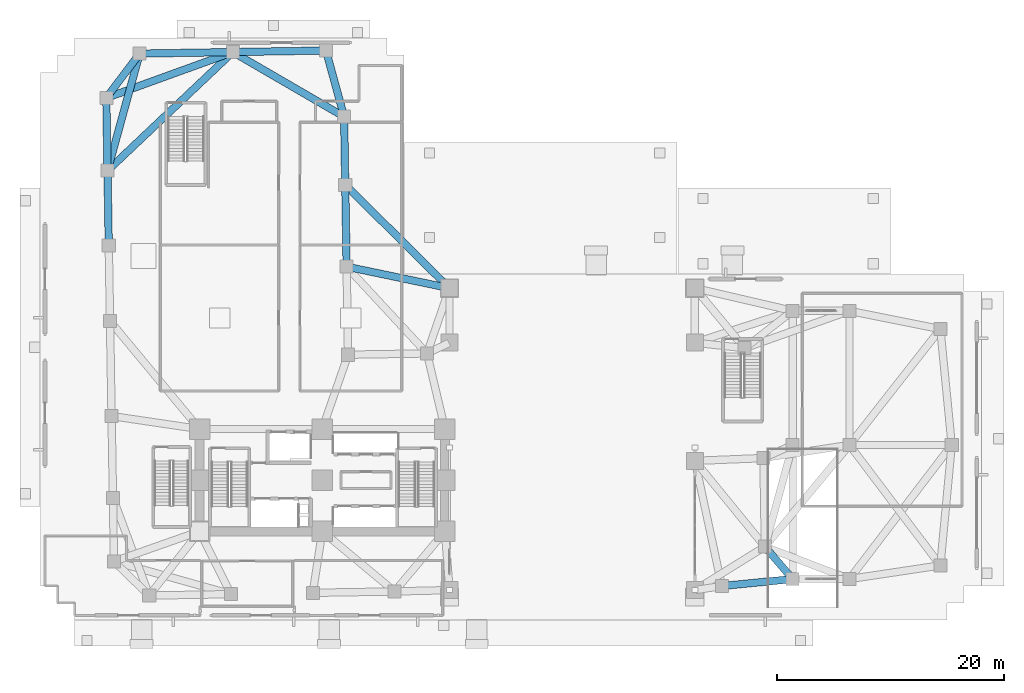
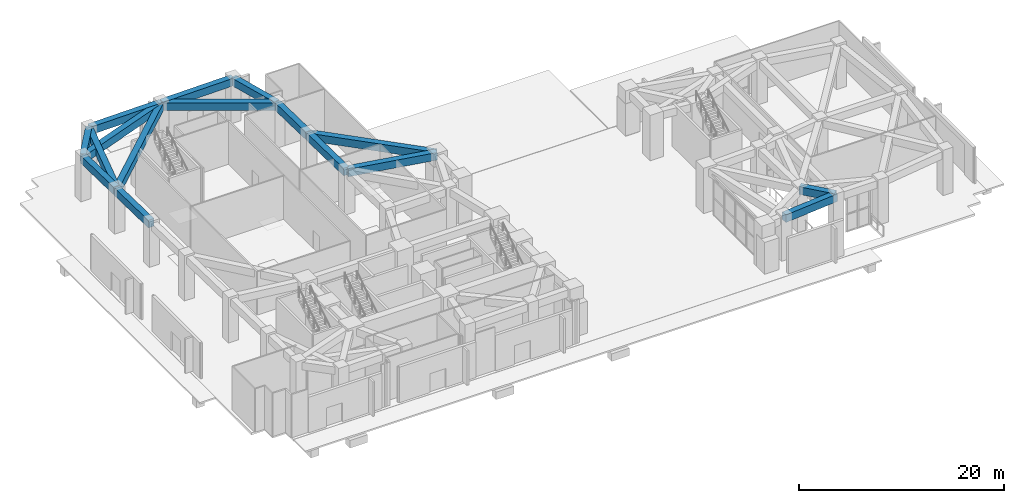
# One storey, part 3 of 19: 16 beams.
"""IFC4 building model written with IfcOpenShell, lengths in metres."""

from ifc_helpers import new_model, si_unit, direction, frame, origin, origin_2d, place, context, subcontext, project, spatial, rectangle, extrude, material, material_profile, profile_set, type_object, element, save


model = new_model("IFC4")

# Units and contexts
model_context = context("Model", 3, precision=1e-05, world=origin(), true_north=direction((0.0, 1.0)))
body_context = subcontext(model_context, "Body", "Model", "MODEL_VIEW")
ifc_project = project(units=[si_unit("LENGTHUNIT", "METRE"), si_unit("AREAUNIT", "SQUARE_METRE"), si_unit("VOLUMEUNIT", "CUBIC_METRE"), si_unit("PLANEANGLEUNIT", "RADIAN"), si_unit("MASSUNIT", "GRAM", prefix="KILO")], contexts=[model_context])

# Site, building, storey
site_placement = place(None, origin())
site = spatial("IfcSite", under=ifc_project, at=site_placement, CompositionType="ELEMENT")
building_placement = place(site_placement, origin())
building = spatial("IfcBuilding", under=site, at=building_placement, Name="Gaonmaruhae Medical Tower", CompositionType="ELEMENT")
storey_placement = place(building_placement, origin())
storey = spatial("IfcBuildingStorey", under=building, at=storey_placement, Name="L00", CompositionType="ELEMENT", Elevation=0.0)

# Beams
ifc_material = material(Name="Concrete C50/60", Category="concrete")
ifc_material_profile = material_profile(ifc_material, rectangle(XDim=0.64990234375, YDim=0.89990234375, at=origin_2d()), Name="RCG-650x900")
ifc_profile_set = profile_set([ifc_material_profile], Name="Concrete C50/60")
beam_type = type_object("IfcBeamType", Name="RG-01 Podium Primary RC Girder (RCG-650x900)", PredefinedType="BEAM", material=ifc_profile_set)
beam_1_placement = place(storey_placement, frame((35.951171875, 29.210205078125, 4.699951171875), z_axis=(-0.978893765429, 0.204369753153, 0.0), x_axis=(-0.204369753153, -0.978893765429, 0.0)))
element("IfcBeam", 1, at=beam_1_placement, inside=storey, type_object=beam_type, Name="L00 Beam BM-L00-PG012", PredefinedType="BEAM", context=body_context, shape_type="SweptSolid", body=[
    extrude(rectangle(XDim=0.64990234375, YDim=0.89990234375, at=origin_2d()), origin(), (0.0, 0.0, 1.0), 9.150634765625),
])
beam_2_placement = place(storey_placement, frame((60.01513671875, 2.989013671875, 4.699951171875), z_axis=(0.995157611047, 0.098292060592, 0.0), x_axis=(-0.098292060592, 0.995157611047, 0.0)))
element("IfcBeam", 2, at=beam_2_placement, inside=storey, type_object=beam_type, Name="L00 Beam BM-L00-PG023", PredefinedType="BEAM", context=body_context, shape_type="SweptSolid", body=[
    extrude(rectangle(XDim=0.64990234375, YDim=0.89990234375, at=origin_2d()), origin(), (0.0, 0.0, 1.0), 6.164794921875),
])
beam_3_placement = place(storey_placement, frame((63.791015625, 6.409423828125, 4.699951171875), z_axis=(0.650934547186, -0.759133858604, 0.0), x_axis=(0.759133858604, 0.650934547186, 0.0)))
element("IfcBeam", 3, at=beam_3_placement, inside=storey, type_object=beam_type, Name="L00 Beam BM-L00-PG025", PredefinedType="BEAM", context=body_context, shape_type="SweptSolid", body=[
    extrude(rectangle(XDim=0.64990234375, YDim=0.89990234375, at=origin_2d()), origin(), (0.0, 0.0, 1.0), 3.65087890625),
])
beam_4_placement = place(storey_placement, frame((26.944091796875, 31.140380859375, 4.699951171875), z_axis=(-0.016608204893, 0.999862074253, 0.0), x_axis=(-0.999862074253, -0.016608204893, 0.0)))
element("IfcBeam", 4, at=beam_4_placement, inside=storey, type_object=beam_type, Name="L00 Beam BM-L00-PG035", PredefinedType="BEAM", context=body_context, shape_type="SweptSolid", body=[
    extrude(rectangle(XDim=0.64990234375, YDim=0.89990234375, at=origin_2d()), origin(), (0.0, 0.0, 1.0), 7.10009765625),
])
beam_5_placement = place(storey_placement, frame((26.824462890625, 38.339599609375, 4.699951171875), z_axis=(-0.016551967997, 0.999863006794, 0.0), x_axis=(-0.999863006794, -0.016551967997, 0.0)))
element("IfcBeam", 5, at=beam_5_placement, inside=storey, type_object=beam_type, Name="L00 Beam BM-L00-PG037", PredefinedType="BEAM", context=body_context, shape_type="SweptSolid", body=[
    extrude(rectangle(XDim=0.64990234375, YDim=0.89990234375, at=origin_2d()), origin(), (0.0, 0.0, 1.0), 5.89990234375),
])
beam_6_placement = place(storey_placement, frame((26.86083984375, 38.25439453125, 4.699951171875), z_axis=(0.710394933366, -0.703803267005, 0.0), x_axis=(0.703803267005, 0.710394933366, 0.0)))
element("IfcBeam", 6, at=beam_6_placement, inside=storey, type_object=beam_type, Name="L00 Beam BM-L00-PG038", PredefinedType="BEAM", context=body_context, shape_type="SweptSolid", body=[
    extrude(rectangle(XDim=0.64990234375, YDim=0.89990234375, at=origin_2d()), origin(), (0.0, 0.0, 1.0), 12.815185546875),
])
beam_7_placement = place(storey_placement, frame((26.712646484375, 44.3369140625, 4.699951171875), z_axis=(-0.264400662099, 0.964412924987, 0.0), x_axis=(-0.964412924987, -0.264400662099, 0.0)))
element("IfcBeam", 7, at=beam_7_placement, inside=storey, type_object=beam_type, Name="L00 Beam BM-L00-PG039", PredefinedType="BEAM", context=body_context, shape_type="SweptSolid", body=[
    extrude(rectangle(XDim=0.64990234375, YDim=0.89990234375, at=origin_2d()), origin(), (0.0, 0.0, 1.0), 5.939208984375),
])
beam_8_placement = place(storey_placement, frame((26.6826171875, 44.313720703125, 4.699951171875), z_axis=(-0.864761531189, 0.502182729865, 0.0), x_axis=(-0.502182729865, -0.864761531189, 0.0)))
element("IfcBeam", 8, at=beam_8_placement, inside=storey, type_object=beam_type, Name="L00 Beam BM-L00-PG040", PredefinedType="BEAM", context=body_context, shape_type="SweptSolid", body=[
    extrude(rectangle(XDim=0.64990234375, YDim=0.89990234375, at=origin_2d()), origin(), (0.0, 0.0, 1.0), 11.227294921875),
])
for number, where, z_axis, x_axis, name in (
    (9, (25.0791015625, 50.112060546875, 4.699951171875), (-0.999863083435, -0.016547337678, 0.0), (0.016547337678, -0.999863083435, 0.0), "L00 Beam BM-L00-PG041"),
    (10, (16.88037109375, 49.976318359375, 4.699951171875), (-0.999862584298, -0.016577470273, 0.0), (0.016577470273, -0.999862584298, 0.0), "L00 Beam BM-L00-PG042"),
):
    element("IfcBeam", number, at=place(storey_placement, frame(where, z_axis=z_axis, x_axis=x_axis)), inside=storey, type_object=beam_type, Name=name, PredefinedType="BEAM", context=body_context, shape_type="SweptSolid", body=[
        extrude(rectangle(XDim=0.64990234375, YDim=0.89990234375, at=origin_2d()), origin(), (0.0, 0.0, 1.0), 8.10009765625),
    ])
beam_9_placement = place(storey_placement, frame((16.88330078125, 49.9599609375, 4.699951171875), z_axis=(-0.940171612952, -0.340701244788, 0.0), x_axis=(0.340701244788, -0.940171612952, 0.0)))
element("IfcBeam", 11, at=beam_9_placement, inside=storey, type_object=beam_type, Name="L00 Beam BM-L00-PG043", PredefinedType="BEAM", context=body_context, shape_type="SweptSolid", body=[
    extrude(rectangle(XDim=0.64990234375, YDim=0.89990234375, at=origin_2d()), origin(), (0.0, 0.0, 1.0), 11.743408203125),
])
beam_10_placement = place(storey_placement, frame((8.701416015625, 49.80126953125, 4.699951171875), z_axis=(-0.601502313354, -0.798871057824, 0.0), x_axis=(0.798871057824, -0.601502313354, 0.0)))
element("IfcBeam", 12, at=beam_10_placement, inside=storey, type_object=beam_type, Name="L00 Beam BM-L00-PG044", PredefinedType="BEAM", context=body_context, shape_type="SweptSolid", body=[
    extrude(rectangle(XDim=0.64990234375, YDim=0.89990234375, at=origin_2d()), origin(), (0.0, 0.0, 1.0), 4.781005859375),
])
beam_11_placement = place(storey_placement, frame((8.71826171875, 49.79296875, 4.699951171875), z_axis=(-0.264954280581, -0.964260975671, 0.0), x_axis=(0.964260975671, -0.264954280581, 0.0)))
element("IfcBeam", 13, at=beam_11_placement, inside=storey, type_object=beam_type, Name="L00 Beam BM-L00-PG045", PredefinedType="BEAM", context=body_context, shape_type="SweptSolid", body=[
    extrude(rectangle(XDim=0.64990234375, YDim=0.89990234375, at=origin_2d()), origin(), (0.0, 0.0, 1.0), 10.580078125),
])
beam_12_placement = place(storey_placement, frame((5.79638671875, 45.891845703125, 4.699951171875), z_axis=(0.016586222393, -0.999862439152, 0.0), x_axis=(0.999862439152, 0.016586222393, 0.0)))
element("IfcBeam", 14, at=beam_12_placement, inside=storey, type_object=beam_type, Name="L00 Beam BM-L00-PG046", PredefinedType="BEAM", context=body_context, shape_type="SweptSolid", body=[
    extrude(rectangle(XDim=0.64990234375, YDim=0.89990234375, at=origin_2d()), origin(), (0.0, 0.0, 1.0), 6.300048828125),
])
beam_13_placement = place(storey_placement, frame((5.902587890625, 39.492919921875, 4.699951171875), z_axis=(0.016563596449, -0.999862814226, 0.0), x_axis=(0.999862814226, 0.016563596449, 0.0)))
element("IfcBeam", 15, at=beam_13_placement, inside=storey, type_object=beam_type, Name="L00 Beam BM-L00-PG047", PredefinedType="BEAM", context=body_context, shape_type="SweptSolid", body=[
    extrude(rectangle(XDim=0.64990234375, YDim=0.89990234375, at=origin_2d()), origin(), (0.0, 0.0, 1.0), 6.500244140625),
])
beam_14_placement = place(storey_placement, frame((5.938232421875, 39.5771484375, 4.699951171875), z_axis=(0.726406385449, 0.687265424111, 0.0), x_axis=(-0.687265424111, 0.726406385449, 0.0)))
element("IfcBeam", 16, at=beam_14_placement, inside=storey, type_object=beam_type, Name="L00 Beam BM-L00-PG048", PredefinedType="BEAM", context=body_context, shape_type="SweptSolid", body=[
    extrude(rectangle(XDim=0.64990234375, YDim=0.89990234375, at=origin_2d()), origin(), (0.0, 0.0, 1.0), 15.082275390625),
])

save(model, "model.ifc")
